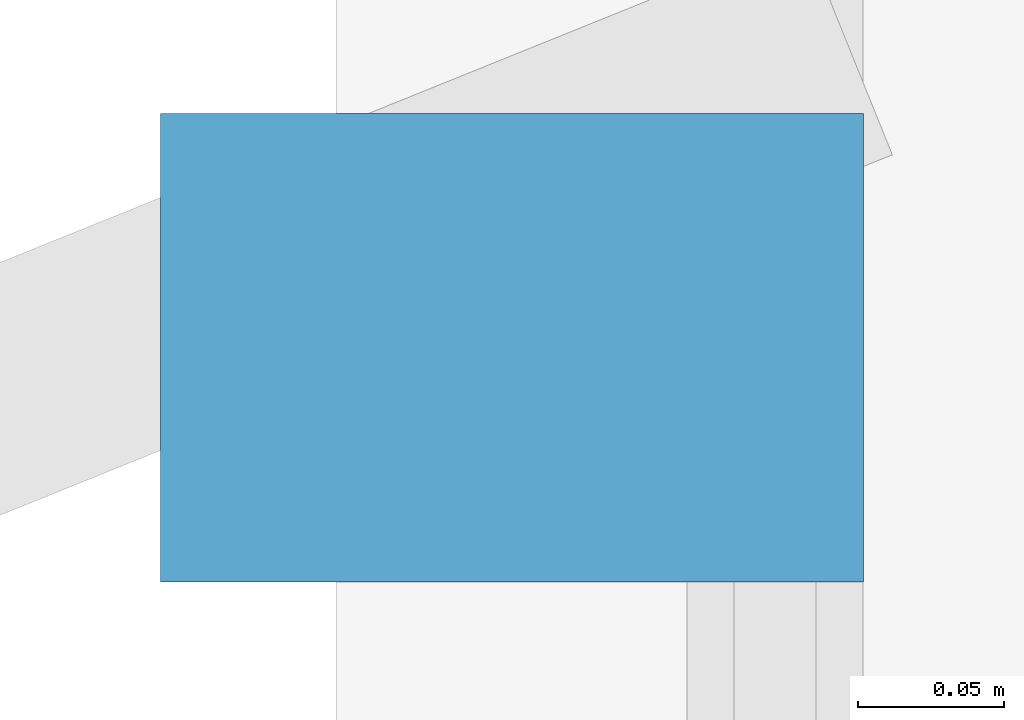
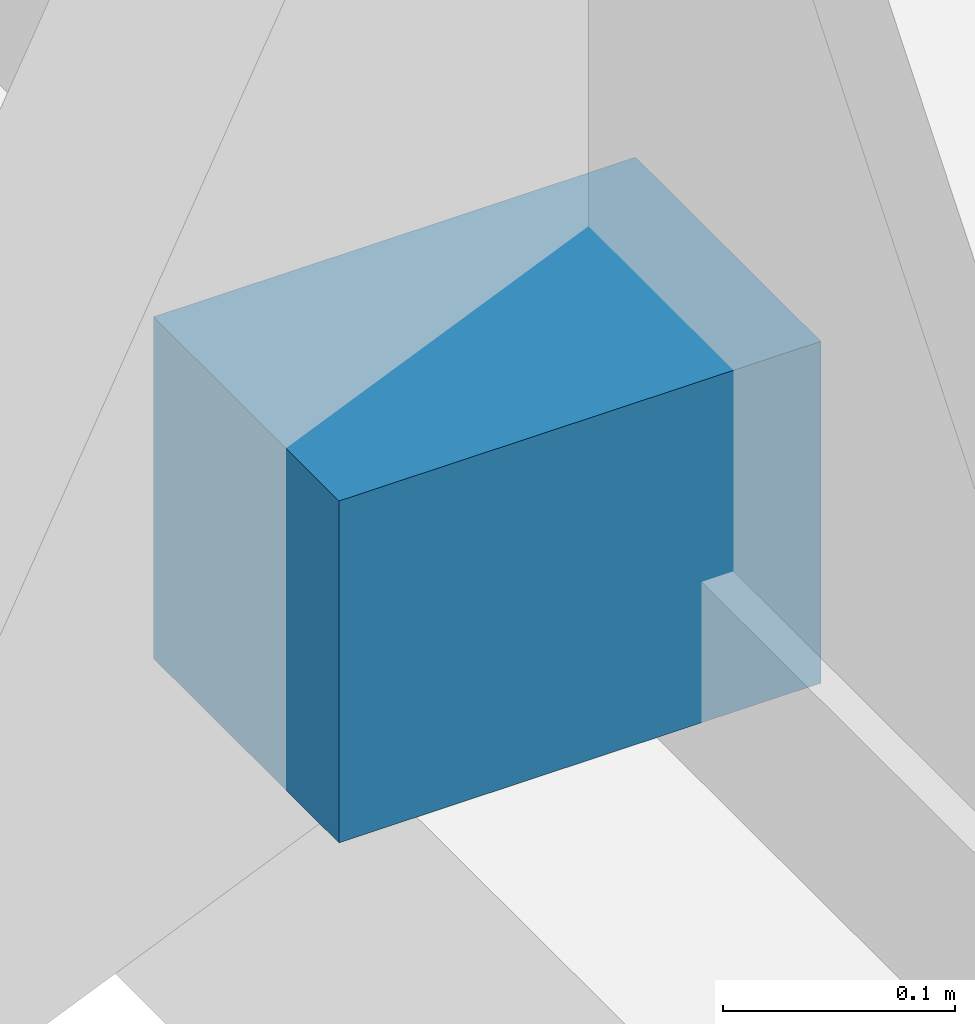
# One storey, part 27 of 29: 1 discrete accessory.
"""IFC4 building model written with IfcOpenShell, lengths in metres."""

from ifc_helpers import new_model, si_unit, direction, frame, origin, origin_2d, place, context, subcontext, project, spatial, rectangle, extrude, material, type_object, element, save


model = new_model("IFC4")

# Units and contexts
model_context = context("Model", 3, precision=1e-05, world=origin(), true_north=direction((0.0, 1.0)))
body_context = subcontext(model_context, "Body", "Model", "MODEL_VIEW")
ifc_project = project(units=[si_unit("LENGTHUNIT", "METRE"), si_unit("AREAUNIT", "SQUARE_METRE"), si_unit("VOLUMEUNIT", "CUBIC_METRE"), si_unit("PLANEANGLEUNIT", "RADIAN"), si_unit("MASSUNIT", "GRAM", prefix="KILO")], contexts=[model_context])

# Site, building, storey
site_placement = place(None, origin())
site = spatial("IfcSite", under=ifc_project, at=site_placement, CompositionType="ELEMENT")
building_placement = place(site_placement, origin())
building = spatial("IfcBuilding", under=site, at=building_placement, Name="Calvorn Quay Hotel", CompositionType="ELEMENT")
storey_placement = place(building_placement, frame((0.0, 0.0, 171.300048828125)))
storey = spatial("IfcBuildingStorey", under=building, at=storey_placement, Name="L42", CompositionType="ELEMENT", Elevation=171.300048828125)

# Discrete accessory
ifc_material = material(Name="Steel Q355B", Category="steel")
discrete_accessory_type = type_object("IfcDiscreteAccessoryType", Name="ACC-FIN-BRACKET", PredefinedType="BRACKET", material=ifc_material)
discrete_accessory_placement = place(storey_placement, frame((0.06005859375, 37.25, 0.02978515625), z_axis=(0.0, 0.0, 1.0), x_axis=(1.0, 0.0, 0.0)))
element("IfcDiscreteAccessory", 1, at=discrete_accessory_placement, inside=storey, type_object=discrete_accessory_type, Name="Fin Anchor Bracket L42-W03", PredefinedType="BRACKET", context=body_context, shape_type="SweptSolid", body=[
    extrude(rectangle(XDim=0.239990234375, YDim=0.159912109375, at=origin_2d()), origin(), (0.0, 0.0, 1.0), 0.179931640625),
])

save(model, "model.ifc")
